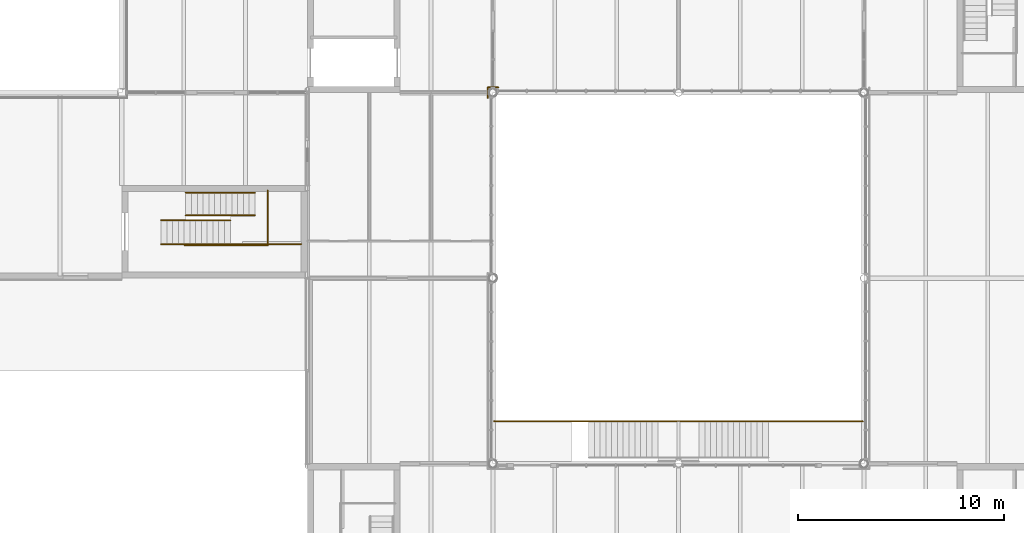
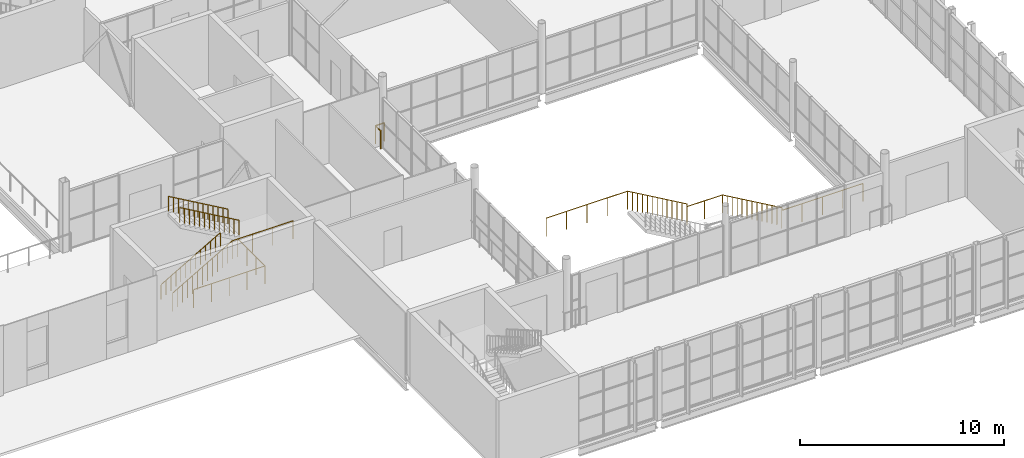
# One storey, part 53 of 57: 9 railings.
"""IFC4 building model written with IfcOpenShell, lengths in metres."""

from ifc_helpers import new_model, si_unit, direction, frame, origin, origin_2d, place, context, subcontext, project, spatial, circle, extrude, material, type_object, element, save


model = new_model("IFC4")

# Units and contexts
model_context = context("Model", 3, precision=1e-05, world=origin(), true_north=direction((0.0, 1.0)))
body_context = subcontext(model_context, "Body", "Model", "MODEL_VIEW")
ifc_project = project(units=[si_unit("LENGTHUNIT", "METRE"), si_unit("AREAUNIT", "SQUARE_METRE"), si_unit("VOLUMEUNIT", "CUBIC_METRE"), si_unit("PLANEANGLEUNIT", "RADIAN"), si_unit("MASSUNIT", "GRAM", prefix="KILO")], contexts=[model_context])

# Site, building, storey
site_placement = place(None, origin())
site = spatial("IfcSite", under=ifc_project, at=site_placement, CompositionType="ELEMENT")
building_placement = place(site_placement, origin())
building = spatial("IfcBuilding", under=site, at=building_placement, Name="Halyard Row Museum", CompositionType="ELEMENT")
storey_placement = place(building_placement, frame((0.0, 0.0, 5.0)))
storey = spatial("IfcBuildingStorey", under=building, at=storey_placement, Name="L01", CompositionType="ELEMENT", Elevation=5.0)

# Railings
ifc_material_1 = material(Name="Steel Grade 300", Category="steel")
railing_type_1 = type_object("IfcRailingType", Name="Guard GR2 steel balustrade 1100", PredefinedType="GUARDRAIL", material=ifc_material_1)
railing_1_placement = place(storey_placement, frame((64.89990234375, 19.64990234375, 0.16162109375)))
element("IfcRailing", 1, at=railing_1_placement, inside=storey, type_object=railing_type_1, Name="Guard GR023", PredefinedType="GUARDRAIL", context=body_context, shape_type="SweptSolid", body=[
    extrude(circle(Radius=0.02392578125, at=origin_2d()), frame((0.0, 0.0, 1.076171875), z_axis=(0.866424426198, 0.0, 0.49930823515), x_axis=(0.0, 1.0, 0.0)), (0.0, 0.0, 1.0), 0.3232421875),
    extrude(circle(Radius=0.02392578125, at=origin_2d()), frame((0.280029296875, 0.0, 1.2373046875), z_axis=(0.86609757561, 0.0, 0.499874973892), x_axis=(0.0, 1.0, 0.0)), (0.0, 0.0, 1.0), 0.3232421875),
    extrude(circle(Radius=0.02392578125, at=origin_2d()), frame((0.56005859375, 0.0, 1.39892578125), z_axis=(0.86609757561, 0.0, 0.499874973892), x_axis=(0.0, 1.0, 0.0)), (0.0, 0.0, 1.0), 0.3232421875),
    extrude(circle(Radius=0.02392578125, at=origin_2d()), frame((0.840087890625, 0.0, 1.560546875), z_axis=(0.866424426198, 0.0, 0.49930823515), x_axis=(0.0, 1.0, 0.0)), (0.0, 0.0, 1.0), 0.3232421875),
    extrude(circle(Radius=0.02392578125, at=origin_2d()), frame((1.1201171875, 0.0, 1.72216796875), z_axis=(0.86609757561, 0.0, 0.499874973892), x_axis=(0.0, 1.0, 0.0)), (0.0, 0.0, 1.0), 0.3232421875),
    extrude(circle(Radius=0.02392578125, at=origin_2d()), frame((1.400146484375, 0.0, 1.8837890625), z_axis=(0.86609757561, 0.0, 0.499874973892), x_axis=(0.0, 1.0, 0.0)), (0.0, 0.0, 1.0), 0.3232421875),
    extrude(circle(Radius=0.02392578125, at=origin_2d()), frame((1.68017578125, 0.0, 2.04541015625), z_axis=(0.866424426198, 0.0, 0.49930823515), x_axis=(0.0, 1.0, 0.0)), (0.0, 0.0, 1.0), 0.3232421875),
    extrude(circle(Radius=0.02392578125, at=origin_2d()), frame((1.960205078125, 0.0, 2.20654296875), z_axis=(0.865908710228, 0.0, 0.500202064721), x_axis=(0.0, 1.0, 0.0)), (0.0, 0.0, 1.0), 0.322998046875),
    extrude(circle(Radius=0.02392578125, at=origin_2d()), frame((2.239990234375, 0.0, 2.3681640625), z_axis=(0.86609757561, 0.0, 0.499874973892), x_axis=(0.0, 1.0, 0.0)), (0.0, 0.0, 1.0), 0.3232421875),
    extrude(circle(Radius=0.02392578125, at=origin_2d()), frame((2.52001953125, 0.0, 2.52978515625), z_axis=(0.866424426198, 0.0, 0.49930823515), x_axis=(0.0, 1.0, 0.0)), (0.0, 0.0, 1.0), 0.3232421875),
    extrude(circle(Radius=0.02392578125, at=origin_2d()), frame((2.800048828125, 0.0, 2.69140625), z_axis=(0.86609757561, 0.0, 0.499874973892), x_axis=(0.0, 1.0, 0.0)), (0.0, 0.0, 1.0), 0.3232421875),
    extrude(circle(Radius=0.02392578125, at=origin_2d()), frame((3.080078125, 0.0, 2.85302734375), z_axis=(0.86609757561, 0.0, 0.499874973892), x_axis=(0.0, 1.0, 0.0)), (0.0, 0.0, 1.0), 0.3232421875),
    extrude(circle(Radius=0.02099609375, at=origin_2d()), origin(), (0.0, 0.0, 1.0), 1.052001953125),
    extrude(circle(Radius=0.02099609375, at=origin_2d()), frame((0.280029296875, 0.0, 0.161376953125)), (0.0, 0.0, 1.0), 1.052001953125),
    extrude(circle(Radius=0.02099609375, at=origin_2d()), frame((0.56005859375, 0.0, 0.322998046875)), (0.0, 0.0, 1.0), 1.052001953125),
    extrude(circle(Radius=0.02099609375, at=origin_2d()), frame((0.840087890625, 0.0, 0.484619140625)), (0.0, 0.0, 1.0), 1.052001953125),
    extrude(circle(Radius=0.02099609375, at=origin_2d()), frame((1.1201171875, 0.0, 0.64599609375)), (0.0, 0.0, 1.0), 1.052001953125),
    extrude(circle(Radius=0.02099609375, at=origin_2d()), frame((1.400146484375, 0.0, 0.8076171875)), (0.0, 0.0, 1.0), 1.052001953125),
    extrude(circle(Radius=0.02099609375, at=origin_2d()), frame((1.68017578125, 0.0, 0.96923828125)), (0.0, 0.0, 1.0), 1.052001953125),
    extrude(circle(Radius=0.02099609375, at=origin_2d()), frame((1.960205078125, 0.0, 1.130615234375)), (0.0, 0.0, 1.0), 1.052001953125),
    extrude(circle(Radius=0.02099609375, at=origin_2d()), frame((2.239990234375, 0.0, 1.292236328125)), (0.0, 0.0, 1.0), 1.052001953125),
    extrude(circle(Radius=0.02099609375, at=origin_2d()), frame((2.52001953125, 0.0, 1.453857421875)), (0.0, 0.0, 1.0), 1.052001953125),
    extrude(circle(Radius=0.02099609375, at=origin_2d()), frame((2.800048828125, 0.0, 1.615234375)), (0.0, 0.0, 1.0), 1.052001953125),
    extrude(circle(Radius=0.02099609375, at=origin_2d()), frame((3.080078125, 0.0, 1.77685546875)), (0.0, 0.0, 1.0), 1.052001953125),
    extrude(circle(Radius=0.02099609375, at=origin_2d()), frame((3.360107421875, 0.0, 1.9384765625)), (0.0, 0.0, 1.0), 1.052001953125),
])
railing_2_placement = place(storey_placement, frame((68.260009765625, 19.64990234375, 2.10009765625)))
element("IfcRailing", 2, at=railing_2_placement, inside=storey, type_object=railing_type_1, Name="Guard GR024", PredefinedType="GUARDRAIL", context=body_context, shape_type="SweptSolid", body=[
    extrude(circle(Radius=0.02392578125, at=origin_2d()), frame((0.0, 0.0, 1.076171875), z_axis=(1.0, 0.0, 0.0), x_axis=(0.0, 1.0, 0.0)), (0.0, 0.0, 1.0), 3.43994140625),
    extrude(circle(Radius=0.02099609375, at=origin_2d()), origin(), (0.0, 0.0, 1.0), 1.052001953125),
    extrude(circle(Radius=0.02099609375, at=origin_2d()), frame((1.146728515625, 0.0, 0.0)), (0.0, 0.0, 1.0), 1.052001953125),
    extrude(circle(Radius=0.02099609375, at=origin_2d()), frame((2.293212890625, 0.0, 0.0)), (0.0, 0.0, 1.0), 1.052001953125),
    extrude(circle(Radius=0.02099609375, at=origin_2d()), frame((3.43994140625, 0.0, 0.0)), (0.0, 0.0, 1.0), 1.052001953125),
])
railing_3_placement = place(storey_placement, frame((98.949951171875, 11.050048828125, 0.0)))
element("IfcRailing", 3, at=railing_3_placement, inside=storey, type_object=railing_type_1, Name="Guard GR131", PredefinedType="GUARDRAIL", context=body_context, shape_type="SweptSolid", body=[
    extrude(circle(Radius=0.02392578125, at=origin_2d()), frame((0.0, 0.0, 1.076171875), z_axis=(-1.0, 0.0, 0.0), x_axis=(0.0, -1.0, 0.0)), (0.0, 0.0, 1.0), 4.58984375),
    extrude(circle(Radius=0.02392578125, at=origin_2d()), frame((-4.58984375, 0.0, 1.076171875), z_axis=(0.0, 0.0, 1.0), x_axis=(1.0, 0.0, 0.0)), (0.0, 0.0, 1.0), 0.16162109375),
    extrude(circle(Radius=0.02392578125, at=origin_2d()), frame((-4.58984375, 0.0, 1.23779296875), z_axis=(-0.866424426198, 0.0, 0.49930823515), x_axis=(0.0, -1.0, 0.0)), (0.0, 0.0, 1.0), 0.3232421875),
    extrude(circle(Radius=0.02392578125, at=origin_2d()), frame((-4.869873046875, 0.0, 1.39892578125), z_axis=(-0.86609757561, 0.0, 0.499874973892), x_axis=(0.0, -1.0, 0.0)), (0.0, 0.0, 1.0), 0.3232421875),
    extrude(circle(Radius=0.02392578125, at=origin_2d()), frame((-5.14990234375, 0.0, 1.560546875), z_axis=(-0.86609757561, 0.0, 0.499874973892), x_axis=(0.0, -1.0, 0.0)), (0.0, 0.0, 1.0), 0.3232421875),
    extrude(circle(Radius=0.02392578125, at=origin_2d()), frame((-5.429931640625, 0.0, 1.72216796875), z_axis=(-0.866424426198, 0.0, 0.49930823515), x_axis=(0.0, -1.0, 0.0)), (0.0, 0.0, 1.0), 0.3232421875),
    extrude(circle(Radius=0.02392578125, at=origin_2d()), frame((-5.7099609375, 0.0, 1.8837890625), z_axis=(-0.86609757561, 0.0, 0.499874973892), x_axis=(0.0, -1.0, 0.0)), (0.0, 0.0, 1.0), 0.3232421875),
    extrude(circle(Radius=0.02392578125, at=origin_2d()), frame((-5.989990234375, 0.0, 2.04541015625), z_axis=(-0.86609757561, 0.0, 0.499874973892), x_axis=(0.0, -1.0, 0.0)), (0.0, 0.0, 1.0), 0.3232421875),
    extrude(circle(Radius=0.02392578125, at=origin_2d()), frame((-6.27001953125, 0.0, 2.20703125), z_axis=(-0.866424426198, 0.0, 0.49930823515), x_axis=(0.0, -1.0, 0.0)), (0.0, 0.0, 1.0), 0.3232421875),
    extrude(circle(Radius=0.02392578125, at=origin_2d()), frame((-6.550048828125, 0.0, 2.3681640625), z_axis=(-0.865908710228, 0.0, 0.500202064721), x_axis=(0.0, -1.0, 0.0)), (0.0, 0.0, 1.0), 0.322998046875),
    extrude(circle(Radius=0.02392578125, at=origin_2d()), frame((-6.829833984375, 0.0, 2.52978515625), z_axis=(-0.86609757561, 0.0, 0.499874973892), x_axis=(0.0, -1.0, 0.0)), (0.0, 0.0, 1.0), 0.3232421875),
    extrude(circle(Radius=0.02392578125, at=origin_2d()), frame((-7.10986328125, 0.0, 2.69140625), z_axis=(-0.866424426198, 0.0, 0.49930823515), x_axis=(0.0, -1.0, 0.0)), (0.0, 0.0, 1.0), 0.3232421875),
    extrude(circle(Radius=0.02392578125, at=origin_2d()), frame((-7.389892578125, 0.0, 2.85302734375), z_axis=(-0.86609757561, 0.0, 0.499874973892), x_axis=(0.0, -1.0, 0.0)), (0.0, 0.0, 1.0), 0.3232421875),
    extrude(circle(Radius=0.02392578125, at=origin_2d()), frame((-7.669921875, 0.0, 3.0146484375), z_axis=(-0.86609757561, 0.0, 0.499874973892), x_axis=(0.0, -1.0, 0.0)), (0.0, 0.0, 1.0), 0.3232421875),
    extrude(circle(Radius=0.02392578125, at=origin_2d()), frame((-7.949951171875, 0.0, 3.17626953125), z_axis=(-1.0, 0.0, 0.0), x_axis=(0.0, -1.0, 0.0)), (0.0, 0.0, 1.0), 2.0),
    extrude(circle(Radius=0.02392578125, at=origin_2d()), frame((-9.949951171875, 0.0, 3.17626953125), z_axis=(0.0, 0.0, 1.0), x_axis=(1.0, 0.0, 0.0)), (0.0, 0.0, 1.0), 0.161376953125),
    extrude(circle(Radius=0.02392578125, at=origin_2d()), frame((-9.949951171875, 0.0, 3.33740234375), z_axis=(-0.86609757561, 0.0, 0.499874973892), x_axis=(0.0, -1.0, 0.0)), (0.0, 0.0, 1.0), 0.3232421875),
    extrude(circle(Radius=0.02392578125, at=origin_2d()), frame((-10.22998046875, 0.0, 3.4990234375), z_axis=(-0.86609757561, 0.0, 0.499874973892), x_axis=(0.0, -1.0, 0.0)), (0.0, 0.0, 1.0), 0.3232421875),
    extrude(circle(Radius=0.02392578125, at=origin_2d()), frame((-10.510009765625, 0.0, 3.66064453125), z_axis=(-0.866424426198, 0.0, 0.49930823515), x_axis=(0.0, -1.0, 0.0)), (0.0, 0.0, 1.0), 0.3232421875),
    extrude(circle(Radius=0.02392578125, at=origin_2d()), frame((-10.7900390625, 0.0, 3.822265625), z_axis=(-0.86609757561, 0.0, 0.499874973892), x_axis=(0.0, -1.0, 0.0)), (0.0, 0.0, 1.0), 0.3232421875),
    extrude(circle(Radius=0.02392578125, at=origin_2d()), frame((-11.070068359375, 0.0, 3.98388671875), z_axis=(-0.865908710228, 0.0, 0.500202064721), x_axis=(0.0, -1.0, 0.0)), (0.0, 0.0, 1.0), 0.322998046875),
    extrude(circle(Radius=0.02392578125, at=origin_2d()), frame((-11.349853515625, 0.0, 4.1455078125), z_axis=(-0.866424426198, 0.0, 0.49930823515), x_axis=(0.0, -1.0, 0.0)), (0.0, 0.0, 1.0), 0.3232421875),
    extrude(circle(Radius=0.02392578125, at=origin_2d()), frame((-11.6298828125, 0.0, 4.306640625), z_axis=(-0.86609757561, 0.0, 0.499874973892), x_axis=(0.0, -1.0, 0.0)), (0.0, 0.0, 1.0), 0.3232421875),
    extrude(circle(Radius=0.02392578125, at=origin_2d()), frame((-11.909912109375, 0.0, 4.46826171875), z_axis=(-0.86609757561, 0.0, 0.499874973892), x_axis=(0.0, -1.0, 0.0)), (0.0, 0.0, 1.0), 0.3232421875),
    extrude(circle(Radius=0.02392578125, at=origin_2d()), frame((-12.18994140625, 0.0, 4.6298828125), z_axis=(-0.866424426198, 0.0, 0.49930823515), x_axis=(0.0, -1.0, 0.0)), (0.0, 0.0, 1.0), 0.3232421875),
    extrude(circle(Radius=0.02392578125, at=origin_2d()), frame((-12.469970703125, 0.0, 4.79150390625), z_axis=(-0.86609757561, 0.0, 0.499874973892), x_axis=(0.0, -1.0, 0.0)), (0.0, 0.0, 1.0), 0.3232421875),
    extrude(circle(Radius=0.02392578125, at=origin_2d()), frame((-12.75, 0.0, 4.953125), z_axis=(-0.86609757561, 0.0, 0.499874973892), x_axis=(0.0, -1.0, 0.0)), (0.0, 0.0, 1.0), 0.3232421875),
    extrude(circle(Radius=0.02392578125, at=origin_2d()), frame((-13.030029296875, 0.0, 5.11474609375), z_axis=(-0.866424426198, 0.0, 0.49930823515), x_axis=(0.0, -1.0, 0.0)), (0.0, 0.0, 1.0), 0.3232421875),
    extrude(circle(Radius=0.02392578125, at=origin_2d()), frame((-13.31005859375, 0.0, 5.27587890625), z_axis=(-1.0, 0.0, 0.0), x_axis=(0.0, -1.0, 0.0)), (0.0, 0.0, 1.0), 4.58984375),
    extrude(circle(Radius=0.02099609375, at=origin_2d()), origin(), (0.0, 0.0, 1.0), 1.052001953125),
    extrude(circle(Radius=0.02099609375, at=origin_2d()), frame((-1.1474609375, 0.0, 0.0)), (0.0, 0.0, 1.0), 1.052001953125),
    extrude(circle(Radius=0.02099609375, at=origin_2d()), frame((-2.294921875, 0.0, 0.0)), (0.0, 0.0, 1.0), 1.052001953125),
    extrude(circle(Radius=0.02099609375, at=origin_2d()), frame((-3.4423828125, 0.0, 0.0)), (0.0, 0.0, 1.0), 1.052001953125),
    extrude(circle(Radius=0.02099609375, at=origin_2d()), frame((-4.58984375, 0.0, 0.0)), (0.0, 0.0, 1.0), 1.052001953125),
    extrude(circle(Radius=0.02099609375, at=origin_2d()), frame((-4.58984375, 0.0, 0.16162109375)), (0.0, 0.0, 1.0), 1.052001953125),
    extrude(circle(Radius=0.02099609375, at=origin_2d()), frame((-4.869873046875, 0.0, 0.322998046875)), (0.0, 0.0, 1.0), 1.052001953125),
    extrude(circle(Radius=0.02099609375, at=origin_2d()), frame((-5.14990234375, 0.0, 0.484619140625)), (0.0, 0.0, 1.0), 1.052001953125),
    extrude(circle(Radius=0.02099609375, at=origin_2d()), frame((-5.429931640625, 0.0, 0.646240234375)), (0.0, 0.0, 1.0), 1.052001953125),
    extrude(circle(Radius=0.02099609375, at=origin_2d()), frame((-5.7099609375, 0.0, 0.8076171875)), (0.0, 0.0, 1.0), 1.052001953125),
    extrude(circle(Radius=0.02099609375, at=origin_2d()), frame((-5.989990234375, 0.0, 0.96923828125)), (0.0, 0.0, 1.0), 1.052001953125),
    extrude(circle(Radius=0.02099609375, at=origin_2d()), frame((-6.27001953125, 0.0, 1.130859375)), (0.0, 0.0, 1.0), 1.052001953125),
    extrude(circle(Radius=0.02099609375, at=origin_2d()), frame((-6.550048828125, 0.0, 1.292236328125)), (0.0, 0.0, 1.0), 1.052001953125),
    extrude(circle(Radius=0.02099609375, at=origin_2d()), frame((-6.829833984375, 0.0, 1.453857421875)), (0.0, 0.0, 1.0), 1.052001953125),
    extrude(circle(Radius=0.02099609375, at=origin_2d()), frame((-7.10986328125, 0.0, 1.615478515625)), (0.0, 0.0, 1.0), 1.052001953125),
    extrude(circle(Radius=0.02099609375, at=origin_2d()), frame((-7.389892578125, 0.0, 1.77685546875)), (0.0, 0.0, 1.0), 1.052001953125),
    extrude(circle(Radius=0.02099609375, at=origin_2d()), frame((-7.669921875, 0.0, 1.9384765625)), (0.0, 0.0, 1.0), 1.052001953125),
    extrude(circle(Radius=0.02099609375, at=origin_2d()), frame((-7.949951171875, 0.0, 2.10009765625)), (0.0, 0.0, 1.0), 1.052001953125),
    extrude(circle(Radius=0.02099609375, at=origin_2d()), frame((-8.949951171875, 0.0, 2.10009765625)), (0.0, 0.0, 1.0), 1.052001953125),
    extrude(circle(Radius=0.02099609375, at=origin_2d()), frame((-9.949951171875, 0.0, 2.10009765625)), (0.0, 0.0, 1.0), 1.052001953125),
    extrude(circle(Radius=0.02099609375, at=origin_2d()), frame((-9.949951171875, 0.0, 2.261474609375)), (0.0, 0.0, 1.0), 1.052001953125),
    extrude(circle(Radius=0.02099609375, at=origin_2d()), frame((-10.22998046875, 0.0, 2.423095703125)), (0.0, 0.0, 1.0), 1.052001953125),
    extrude(circle(Radius=0.02099609375, at=origin_2d()), frame((-10.510009765625, 0.0, 2.584716796875)), (0.0, 0.0, 1.0), 1.052001953125),
    extrude(circle(Radius=0.02099609375, at=origin_2d()), frame((-10.7900390625, 0.0, 2.74609375)), (0.0, 0.0, 1.0), 1.052001953125),
    extrude(circle(Radius=0.02099609375, at=origin_2d()), frame((-11.070068359375, 0.0, 2.90771484375)), (0.0, 0.0, 1.0), 1.052001953125),
    extrude(circle(Radius=0.02099609375, at=origin_2d()), frame((-11.349853515625, 0.0, 3.0693359375)), (0.0, 0.0, 1.0), 1.052001953125),
    extrude(circle(Radius=0.02099609375, at=origin_2d()), frame((-11.6298828125, 0.0, 3.230712890625)), (0.0, 0.0, 1.0), 1.052001953125),
    extrude(circle(Radius=0.02099609375, at=origin_2d()), frame((-11.909912109375, 0.0, 3.392333984375)), (0.0, 0.0, 1.0), 1.052001953125),
    extrude(circle(Radius=0.02099609375, at=origin_2d()), frame((-12.18994140625, 0.0, 3.553955078125)), (0.0, 0.0, 1.0), 1.052001953125),
    extrude(circle(Radius=0.02099609375, at=origin_2d()), frame((-12.469970703125, 0.0, 3.71533203125)), (0.0, 0.0, 1.0), 1.052001953125),
    extrude(circle(Radius=0.02099609375, at=origin_2d()), frame((-12.75, 0.0, 3.876953125)), (0.0, 0.0, 1.0), 1.052001953125),
    extrude(circle(Radius=0.02099609375, at=origin_2d()), frame((-13.030029296875, 0.0, 4.03857421875)), (0.0, 0.0, 1.0), 1.052001953125),
    extrude(circle(Radius=0.02099609375, at=origin_2d()), frame((-13.31005859375, 0.0, 4.199951171875)), (0.0, 0.0, 1.0), 1.052001953125),
    extrude(circle(Radius=0.02099609375, at=origin_2d()), frame((-14.45751953125, 0.0, 4.199951171875)), (0.0, 0.0, 1.0), 1.052001953125),
    extrude(circle(Radius=0.02099609375, at=origin_2d()), frame((-15.60498046875, 0.0, 4.199951171875)), (0.0, 0.0, 1.0), 1.052001953125),
    extrude(circle(Radius=0.02099609375, at=origin_2d()), frame((-16.75244140625, 0.0, 4.199951171875)), (0.0, 0.0, 1.0), 1.052001953125),
    extrude(circle(Radius=0.02099609375, at=origin_2d()), frame((-17.89990234375, 0.0, 4.199951171875)), (0.0, 0.0, 1.0), 1.052001953125),
])
railing_4_placement = place(storey_placement, frame((70.080078125, 22.260009765625, 0.0)))
element("IfcRailing", 4, at=railing_4_placement, inside=storey, type_object=railing_type_1, Name="Guard GR147", PredefinedType="GUARDRAIL", context=body_context, shape_type="SweptSolid", body=[
    extrude(circle(Radius=0.02392578125, at=origin_2d()), frame((0.0, 0.0, 1.076171875), z_axis=(0.0, -1.0, 0.0), x_axis=(1.0, 0.0, 0.0)), (0.0, 0.0, 1.0), 2.669921875),
    extrude(circle(Radius=0.02392578125, at=origin_2d()), frame((0.0, -2.669921875, 1.076171875), z_axis=(-1.0, 0.0, 0.0), x_axis=(0.0, -1.0, 0.0)), (0.0, 0.0, 1.0), 4.0400390625),
    extrude(circle(Radius=0.02099609375, at=origin_2d()), origin(), (0.0, 0.0, 1.0), 1.052001953125),
    extrude(circle(Radius=0.02099609375, at=origin_2d()), frame((0.0, -0.889892578125, 0.0)), (0.0, 0.0, 1.0), 1.052001953125),
    extrude(circle(Radius=0.02099609375, at=origin_2d()), frame((0.0, -1.780029296875, 0.0)), (0.0, 0.0, 1.0), 1.052001953125),
    extrude(circle(Radius=0.02099609375, at=origin_2d()), frame((0.0, -2.669921875, 0.0)), (0.0, 0.0, 1.0), 1.052001953125),
    extrude(circle(Radius=0.02099609375, at=origin_2d()), frame((-1.010009765625, -2.669921875, 0.0)), (0.0, 0.0, 1.0), 1.052001953125),
    extrude(circle(Radius=0.02099609375, at=origin_2d()), frame((-2.02001953125, -2.669921875, 0.0)), (0.0, 0.0, 1.0), 1.052001953125),
    extrude(circle(Radius=0.02099609375, at=origin_2d()), frame((-3.030029296875, -2.669921875, 0.0)), (0.0, 0.0, 1.0), 1.052001953125),
    extrude(circle(Radius=0.02099609375, at=origin_2d()), frame((-4.0400390625, -2.669921875, 0.0)), (0.0, 0.0, 1.0), 1.052001953125),
])
railing_5_placement = place(storey_placement, frame((80.75, 26.75, 0.0)))
element("IfcRailing", 5, at=railing_5_placement, inside=storey, type_object=railing_type_1, Name="Guard GR195", PredefinedType="GUARDRAIL", context=body_context, shape_type="SweptSolid", body=[
    extrude(circle(Radius=0.02392578125, at=origin_2d()), frame((0.0, 0.0, 1.076171875), z_axis=(0.0, 1.0, 0.0), x_axis=(-1.0, 0.0, 0.0)), (0.0, 0.0, 1.0), 0.5),
    extrude(circle(Radius=0.02099609375, at=origin_2d()), origin(), (0.0, 0.0, 1.0), 1.052001953125),
    extrude(circle(Radius=0.02099609375, at=origin_2d()), frame((0.0, 0.5, 0.0)), (0.0, 0.0, 1.0), 1.052001953125),
])
railing_6_placement = place(storey_placement, frame((80.75, 27.25, 0.0)))
element("IfcRailing", 6, at=railing_6_placement, inside=storey, type_object=railing_type_1, Name="Guard GR199", PredefinedType="GUARDRAIL", context=body_context, shape_type="SweptSolid", body=[
    extrude(circle(Radius=0.02392578125, at=origin_2d()), frame((0.0, 0.0, 1.076171875), z_axis=(1.0, 0.0, 0.0), x_axis=(0.0, 1.0, 0.0)), (0.0, 0.0, 1.0), 0.5),
    extrude(circle(Radius=0.02099609375, at=origin_2d()), origin(), (0.0, 0.0, 1.0), 1.052001953125),
    extrude(circle(Radius=0.02099609375, at=origin_2d()), frame((0.5, 0.0, 0.0)), (0.0, 0.0, 1.0), 1.052001953125),
])
ifc_material_2 = material(Name="Steel Grade 300", Category="steel")
railing_type_2 = type_object("IfcRailingType", Name="Handrail HR2 steel 900", PredefinedType="HANDRAIL", material=ifc_material_2)
railing_7_placement = place(storey_placement, frame((64.89990234375, 20.800048828125, 0.16162109375)))
element("IfcRailing", 7, at=railing_7_placement, inside=storey, type_object=railing_type_2, Name="Handrail HR034", PredefinedType="HANDRAIL", context=body_context, shape_type="SweptSolid", body=[
    extrude(circle(Radius=0.02392578125, at=origin_2d()), frame((0.0, 0.0, 0.8759765625), z_axis=(0.866424426198, 0.0, 0.49930823515), x_axis=(0.0, 1.0, 0.0)), (0.0, 0.0, 1.0), 0.3232421875),
    extrude(circle(Radius=0.02392578125, at=origin_2d()), frame((0.280029296875, 0.0, 1.037109375), z_axis=(0.86609757561, 0.0, 0.499874973892), x_axis=(0.0, 1.0, 0.0)), (0.0, 0.0, 1.0), 0.3232421875),
    extrude(circle(Radius=0.02392578125, at=origin_2d()), frame((0.56005859375, 0.0, 1.19873046875), z_axis=(0.86609757561, 0.0, 0.499874973892), x_axis=(0.0, 1.0, 0.0)), (0.0, 0.0, 1.0), 0.3232421875),
    extrude(circle(Radius=0.02392578125, at=origin_2d()), frame((0.840087890625, 0.0, 1.3603515625), z_axis=(0.866424426198, 0.0, 0.49930823515), x_axis=(0.0, 1.0, 0.0)), (0.0, 0.0, 1.0), 0.3232421875),
    extrude(circle(Radius=0.02392578125, at=origin_2d()), frame((1.1201171875, 0.0, 1.52197265625), z_axis=(0.86609757561, 0.0, 0.499874973892), x_axis=(0.0, 1.0, 0.0)), (0.0, 0.0, 1.0), 0.3232421875),
    extrude(circle(Radius=0.02392578125, at=origin_2d()), frame((1.400146484375, 0.0, 1.68359375), z_axis=(0.86609757561, 0.0, 0.499874973892), x_axis=(0.0, 1.0, 0.0)), (0.0, 0.0, 1.0), 0.3232421875),
    extrude(circle(Radius=0.02392578125, at=origin_2d()), frame((1.68017578125, 0.0, 1.84521484375), z_axis=(0.866424426198, 0.0, 0.49930823515), x_axis=(0.0, 1.0, 0.0)), (0.0, 0.0, 1.0), 0.3232421875),
    extrude(circle(Radius=0.02392578125, at=origin_2d()), frame((1.960205078125, 0.0, 2.00634765625), z_axis=(0.865908710228, 0.0, 0.500202064721), x_axis=(0.0, 1.0, 0.0)), (0.0, 0.0, 1.0), 0.322998046875),
    extrude(circle(Radius=0.02392578125, at=origin_2d()), frame((2.239990234375, 0.0, 2.16796875), z_axis=(0.86609757561, 0.0, 0.499874973892), x_axis=(0.0, 1.0, 0.0)), (0.0, 0.0, 1.0), 0.3232421875),
    extrude(circle(Radius=0.02392578125, at=origin_2d()), frame((2.52001953125, 0.0, 2.32958984375), z_axis=(0.866424426198, 0.0, 0.49930823515), x_axis=(0.0, 1.0, 0.0)), (0.0, 0.0, 1.0), 0.3232421875),
    extrude(circle(Radius=0.02392578125, at=origin_2d()), frame((2.800048828125, 0.0, 2.4912109375), z_axis=(0.86609757561, 0.0, 0.499874973892), x_axis=(0.0, 1.0, 0.0)), (0.0, 0.0, 1.0), 0.3232421875),
    extrude(circle(Radius=0.02392578125, at=origin_2d()), frame((3.080078125, 0.0, 2.65283203125), z_axis=(0.86609757561, 0.0, 0.499874973892), x_axis=(0.0, 1.0, 0.0)), (0.0, 0.0, 1.0), 0.3232421875),
    extrude(circle(Radius=0.02099609375, at=origin_2d()), origin(), (0.0, 0.0, 1.0), 0.851806640625),
    extrude(circle(Radius=0.02099609375, at=origin_2d()), frame((0.280029296875, 0.0, 0.161376953125)), (0.0, 0.0, 1.0), 0.851806640625),
    extrude(circle(Radius=0.02099609375, at=origin_2d()), frame((0.56005859375, 0.0, 0.322998046875)), (0.0, 0.0, 1.0), 0.851806640625),
    extrude(circle(Radius=0.02099609375, at=origin_2d()), frame((0.840087890625, 0.0, 0.484619140625)), (0.0, 0.0, 1.0), 0.851806640625),
    extrude(circle(Radius=0.02099609375, at=origin_2d()), frame((1.1201171875, 0.0, 0.64599609375)), (0.0, 0.0, 1.0), 0.851806640625),
    extrude(circle(Radius=0.02099609375, at=origin_2d()), frame((1.400146484375, 0.0, 0.8076171875)), (0.0, 0.0, 1.0), 0.851806640625),
    extrude(circle(Radius=0.02099609375, at=origin_2d()), frame((1.68017578125, 0.0, 0.96923828125)), (0.0, 0.0, 1.0), 0.851806640625),
    extrude(circle(Radius=0.02099609375, at=origin_2d()), frame((1.960205078125, 0.0, 1.130615234375)), (0.0, 0.0, 1.0), 0.851806640625),
    extrude(circle(Radius=0.02099609375, at=origin_2d()), frame((2.239990234375, 0.0, 1.292236328125)), (0.0, 0.0, 1.0), 0.851806640625),
    extrude(circle(Radius=0.02099609375, at=origin_2d()), frame((2.52001953125, 0.0, 1.453857421875)), (0.0, 0.0, 1.0), 0.851806640625),
    extrude(circle(Radius=0.02099609375, at=origin_2d()), frame((2.800048828125, 0.0, 1.615234375)), (0.0, 0.0, 1.0), 0.851806640625),
    extrude(circle(Radius=0.02099609375, at=origin_2d()), frame((3.080078125, 0.0, 1.77685546875)), (0.0, 0.0, 1.0), 0.851806640625),
    extrude(circle(Radius=0.02099609375, at=origin_2d()), frame((3.360107421875, 0.0, 1.9384765625)), (0.0, 0.0, 1.0), 0.851806640625),
])
railing_8_placement = place(storey_placement, frame((69.4599609375, 22.14990234375, 2.261474609375)))
element("IfcRailing", 8, at=railing_8_placement, inside=storey, type_object=railing_type_2, Name="Handrail HR035", PredefinedType="HANDRAIL", context=body_context, shape_type="SweptSolid", body=[
    extrude(circle(Radius=0.02392578125, at=origin_2d()), frame((0.0, 0.0, 0.8759765625), z_axis=(-0.86609757561, 0.0, 0.499874973892), x_axis=(0.0, -1.0, 0.0)), (0.0, 0.0, 1.0), 0.3232421875),
    extrude(circle(Radius=0.02392578125, at=origin_2d()), frame((-0.280029296875, 0.0, 1.03759765625), z_axis=(-0.86609757561, 0.0, 0.499874973892), x_axis=(0.0, -1.0, 0.0)), (0.0, 0.0, 1.0), 0.3232421875),
    extrude(circle(Radius=0.02392578125, at=origin_2d()), frame((-0.56005859375, 0.0, 1.19921875), z_axis=(-0.866235917577, 0.0, 0.499635202023), x_axis=(0.0, -1.0, 0.0)), (0.0, 0.0, 1.0), 0.322998046875),
    extrude(circle(Radius=0.02392578125, at=origin_2d()), frame((-0.83984375, 0.0, 1.3603515625), z_axis=(-0.86609757561, 0.0, 0.499874973892), x_axis=(0.0, -1.0, 0.0)), (0.0, 0.0, 1.0), 0.3232421875),
    extrude(circle(Radius=0.02392578125, at=origin_2d()), frame((-1.119873046875, 0.0, 1.52197265625), z_axis=(-0.86609757561, 0.0, 0.499874973892), x_axis=(0.0, -1.0, 0.0)), (0.0, 0.0, 1.0), 0.3232421875),
    extrude(circle(Radius=0.02392578125, at=origin_2d()), frame((-1.39990234375, 0.0, 1.68359375), z_axis=(-0.866424426198, 0.0, 0.49930823515), x_axis=(0.0, -1.0, 0.0)), (0.0, 0.0, 1.0), 0.3232421875),
    extrude(circle(Radius=0.02392578125, at=origin_2d()), frame((-1.679931640625, 0.0, 1.84521484375), z_axis=(-0.86609757561, 0.0, 0.499874973892), x_axis=(0.0, -1.0, 0.0)), (0.0, 0.0, 1.0), 0.3232421875),
    extrude(circle(Radius=0.02392578125, at=origin_2d()), frame((-1.9599609375, 0.0, 2.0068359375), z_axis=(-0.86609757561, 0.0, 0.499874973892), x_axis=(0.0, -1.0, 0.0)), (0.0, 0.0, 1.0), 0.3232421875),
    extrude(circle(Radius=0.02392578125, at=origin_2d()), frame((-2.239990234375, 0.0, 2.16845703125), z_axis=(-0.866424426198, 0.0, 0.49930823515), x_axis=(0.0, -1.0, 0.0)), (0.0, 0.0, 1.0), 0.3232421875),
    extrude(circle(Radius=0.02392578125, at=origin_2d()), frame((-2.52001953125, 0.0, 2.32958984375), z_axis=(-0.86609757561, 0.0, 0.499874973892), x_axis=(0.0, -1.0, 0.0)), (0.0, 0.0, 1.0), 0.3232421875),
    extrude(circle(Radius=0.02392578125, at=origin_2d()), frame((-2.800048828125, 0.0, 2.4912109375), z_axis=(-0.86609757561, 0.0, 0.499874973892), x_axis=(0.0, -1.0, 0.0)), (0.0, 0.0, 1.0), 0.3232421875),
    extrude(circle(Radius=0.02392578125, at=origin_2d()), frame((-3.080078125, 0.0, 2.65283203125), z_axis=(-0.866235917577, 0.0, 0.499635202023), x_axis=(0.0, -1.0, 0.0)), (0.0, 0.0, 1.0), 0.322998046875),
    extrude(circle(Radius=0.02099609375, at=origin_2d()), origin(), (0.0, 0.0, 1.0), 0.851806640625),
    extrude(circle(Radius=0.02099609375, at=origin_2d()), frame((-0.280029296875, 0.0, 0.16162109375)), (0.0, 0.0, 1.0), 0.851806640625),
    extrude(circle(Radius=0.02099609375, at=origin_2d()), frame((-0.56005859375, 0.0, 0.3232421875)), (0.0, 0.0, 1.0), 0.851806640625),
    extrude(circle(Radius=0.02099609375, at=origin_2d()), frame((-0.83984375, 0.0, 0.484619140625)), (0.0, 0.0, 1.0), 0.851806640625),
    extrude(circle(Radius=0.02099609375, at=origin_2d()), frame((-1.119873046875, 0.0, 0.646240234375)), (0.0, 0.0, 1.0), 0.851806640625),
    extrude(circle(Radius=0.02099609375, at=origin_2d()), frame((-1.39990234375, 0.0, 0.807861328125)), (0.0, 0.0, 1.0), 0.851806640625),
    extrude(circle(Radius=0.02099609375, at=origin_2d()), frame((-1.679931640625, 0.0, 0.96923828125)), (0.0, 0.0, 1.0), 0.851806640625),
    extrude(circle(Radius=0.02099609375, at=origin_2d()), frame((-1.9599609375, 0.0, 1.130859375)), (0.0, 0.0, 1.0), 0.851806640625),
    extrude(circle(Radius=0.02099609375, at=origin_2d()), frame((-2.239990234375, 0.0, 1.29248046875)), (0.0, 0.0, 1.0), 0.851806640625),
    extrude(circle(Radius=0.02099609375, at=origin_2d()), frame((-2.52001953125, 0.0, 1.453857421875)), (0.0, 0.0, 1.0), 0.851806640625),
    extrude(circle(Radius=0.02099609375, at=origin_2d()), frame((-2.800048828125, 0.0, 1.615478515625)), (0.0, 0.0, 1.0), 0.851806640625),
    extrude(circle(Radius=0.02099609375, at=origin_2d()), frame((-3.080078125, 0.0, 1.777099609375)), (0.0, 0.0, 1.0), 0.851806640625),
    extrude(circle(Radius=0.02099609375, at=origin_2d()), frame((-3.35986328125, 0.0, 1.9384765625)), (0.0, 0.0, 1.0), 0.851806640625),
])
railing_9_placement = place(storey_placement, frame((69.4599609375, 21.050048828125, 2.261474609375)))
element("IfcRailing", 9, at=railing_9_placement, inside=storey, type_object=railing_type_2, Name="Handrail HR036", PredefinedType="HANDRAIL", context=body_context, shape_type="SweptSolid", body=[
    extrude(circle(Radius=0.02392578125, at=origin_2d()), frame((0.0, 0.0, 0.8759765625), z_axis=(-0.86609757561, 0.0, 0.499874973892), x_axis=(0.0, -1.0, 0.0)), (0.0, 0.0, 1.0), 0.3232421875),
    extrude(circle(Radius=0.02392578125, at=origin_2d()), frame((-0.280029296875, 0.0, 1.03759765625), z_axis=(-0.86609757561, 0.0, 0.499874973892), x_axis=(0.0, -1.0, 0.0)), (0.0, 0.0, 1.0), 0.3232421875),
    extrude(circle(Radius=0.02392578125, at=origin_2d()), frame((-0.56005859375, 0.0, 1.19921875), z_axis=(-0.866235917577, 0.0, 0.499635202023), x_axis=(0.0, -1.0, 0.0)), (0.0, 0.0, 1.0), 0.322998046875),
    extrude(circle(Radius=0.02392578125, at=origin_2d()), frame((-0.83984375, 0.0, 1.3603515625), z_axis=(-0.86609757561, 0.0, 0.499874973892), x_axis=(0.0, -1.0, 0.0)), (0.0, 0.0, 1.0), 0.3232421875),
    extrude(circle(Radius=0.02392578125, at=origin_2d()), frame((-1.119873046875, 0.0, 1.52197265625), z_axis=(-0.86609757561, 0.0, 0.499874973892), x_axis=(0.0, -1.0, 0.0)), (0.0, 0.0, 1.0), 0.3232421875),
    extrude(circle(Radius=0.02392578125, at=origin_2d()), frame((-1.39990234375, 0.0, 1.68359375), z_axis=(-0.866424426198, 0.0, 0.49930823515), x_axis=(0.0, -1.0, 0.0)), (0.0, 0.0, 1.0), 0.3232421875),
    extrude(circle(Radius=0.02392578125, at=origin_2d()), frame((-1.679931640625, 0.0, 1.84521484375), z_axis=(-0.86609757561, 0.0, 0.499874973892), x_axis=(0.0, -1.0, 0.0)), (0.0, 0.0, 1.0), 0.3232421875),
    extrude(circle(Radius=0.02392578125, at=origin_2d()), frame((-1.9599609375, 0.0, 2.0068359375), z_axis=(-0.86609757561, 0.0, 0.499874973892), x_axis=(0.0, -1.0, 0.0)), (0.0, 0.0, 1.0), 0.3232421875),
    extrude(circle(Radius=0.02392578125, at=origin_2d()), frame((-2.239990234375, 0.0, 2.16845703125), z_axis=(-0.866424426198, 0.0, 0.49930823515), x_axis=(0.0, -1.0, 0.0)), (0.0, 0.0, 1.0), 0.3232421875),
    extrude(circle(Radius=0.02392578125, at=origin_2d()), frame((-2.52001953125, 0.0, 2.32958984375), z_axis=(-0.86609757561, 0.0, 0.499874973892), x_axis=(0.0, -1.0, 0.0)), (0.0, 0.0, 1.0), 0.3232421875),
    extrude(circle(Radius=0.02392578125, at=origin_2d()), frame((-2.800048828125, 0.0, 2.4912109375), z_axis=(-0.86609757561, 0.0, 0.499874973892), x_axis=(0.0, -1.0, 0.0)), (0.0, 0.0, 1.0), 0.3232421875),
    extrude(circle(Radius=0.02392578125, at=origin_2d()), frame((-3.080078125, 0.0, 2.65283203125), z_axis=(-0.866235917577, 0.0, 0.499635202023), x_axis=(0.0, -1.0, 0.0)), (0.0, 0.0, 1.0), 0.322998046875),
    extrude(circle(Radius=0.02099609375, at=origin_2d()), origin(), (0.0, 0.0, 1.0), 0.851806640625),
    extrude(circle(Radius=0.02099609375, at=origin_2d()), frame((-0.280029296875, 0.0, 0.16162109375)), (0.0, 0.0, 1.0), 0.851806640625),
    extrude(circle(Radius=0.02099609375, at=origin_2d()), frame((-0.56005859375, 0.0, 0.3232421875)), (0.0, 0.0, 1.0), 0.851806640625),
    extrude(circle(Radius=0.02099609375, at=origin_2d()), frame((-0.83984375, 0.0, 0.484619140625)), (0.0, 0.0, 1.0), 0.851806640625),
    extrude(circle(Radius=0.02099609375, at=origin_2d()), frame((-1.119873046875, 0.0, 0.646240234375)), (0.0, 0.0, 1.0), 0.851806640625),
    extrude(circle(Radius=0.02099609375, at=origin_2d()), frame((-1.39990234375, 0.0, 0.807861328125)), (0.0, 0.0, 1.0), 0.851806640625),
    extrude(circle(Radius=0.02099609375, at=origin_2d()), frame((-1.679931640625, 0.0, 0.96923828125)), (0.0, 0.0, 1.0), 0.851806640625),
    extrude(circle(Radius=0.02099609375, at=origin_2d()), frame((-1.9599609375, 0.0, 1.130859375)), (0.0, 0.0, 1.0), 0.851806640625),
    extrude(circle(Radius=0.02099609375, at=origin_2d()), frame((-2.239990234375, 0.0, 1.29248046875)), (0.0, 0.0, 1.0), 0.851806640625),
    extrude(circle(Radius=0.02099609375, at=origin_2d()), frame((-2.52001953125, 0.0, 1.453857421875)), (0.0, 0.0, 1.0), 0.851806640625),
    extrude(circle(Radius=0.02099609375, at=origin_2d()), frame((-2.800048828125, 0.0, 1.615478515625)), (0.0, 0.0, 1.0), 0.851806640625),
    extrude(circle(Radius=0.02099609375, at=origin_2d()), frame((-3.080078125, 0.0, 1.777099609375)), (0.0, 0.0, 1.0), 0.851806640625),
    extrude(circle(Radius=0.02099609375, at=origin_2d()), frame((-3.35986328125, 0.0, 1.9384765625)), (0.0, 0.0, 1.0), 0.851806640625),
])

save(model, "model.ifc")
